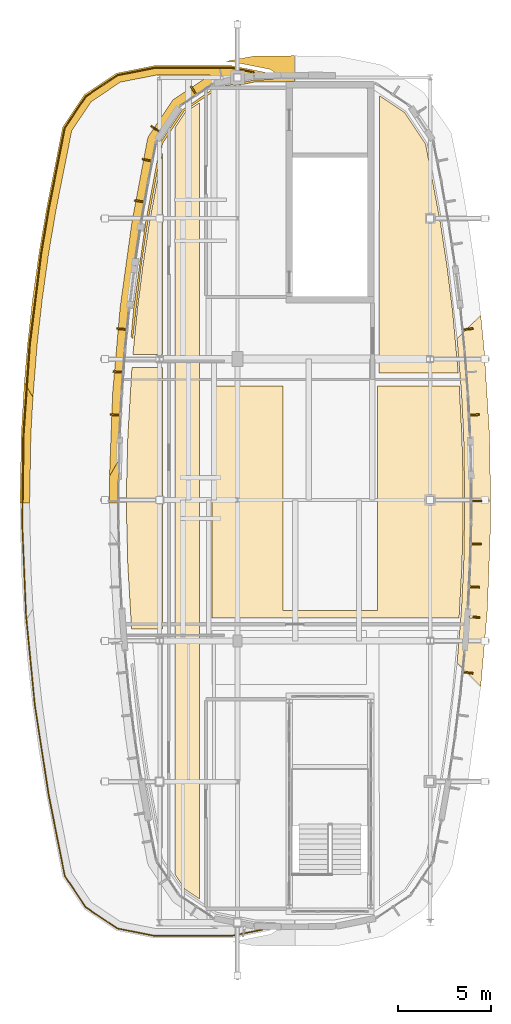
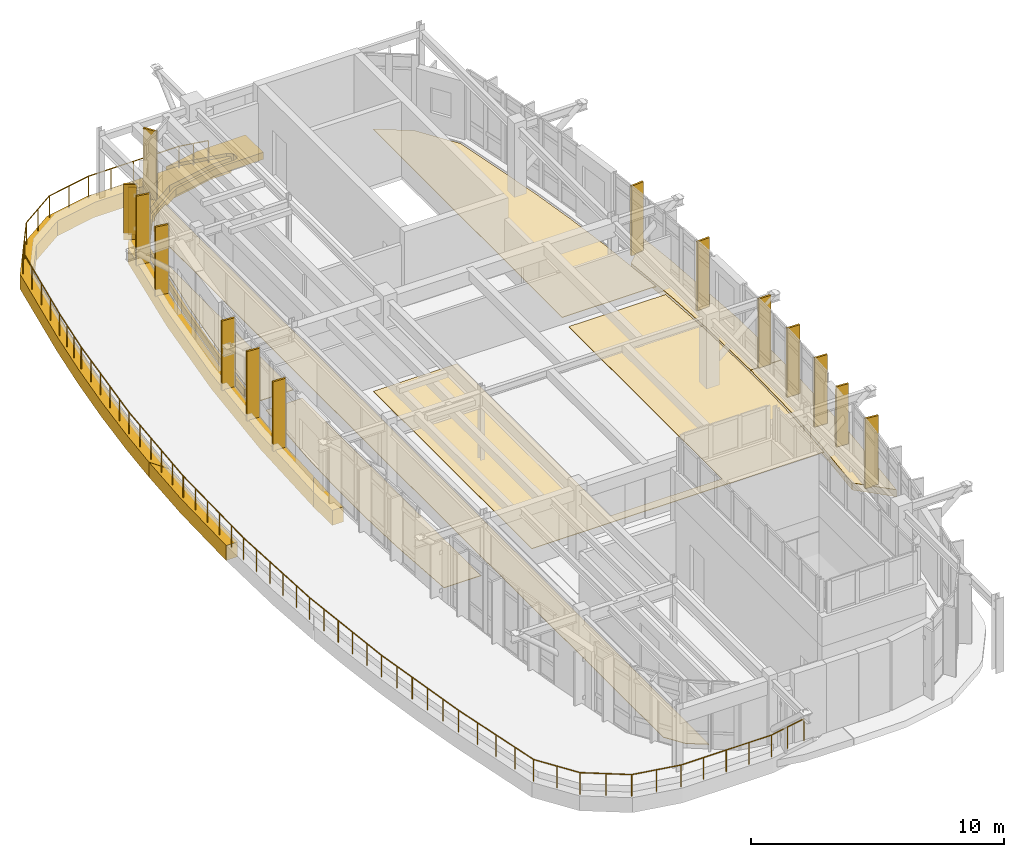
# One storey, part 19 of 20: 25 coverings, 2 shading devices, 1 railing.
"""IFC4 building model written with IfcOpenShell, lengths in metres."""

from ifc_helpers import new_model, si_unit, direction, frame, origin, origin_2d, place, context, subcontext, project, spatial, polyline, rectangle, circle, outline, extrude, material, layer, layer_set, type_object, element, save


model = new_model("IFC4")

# Units and contexts
model_context = context("Model", 3, precision=1e-05, world=origin(), true_north=direction((0.0, 1.0)))
body_context = subcontext(model_context, "Body", "Model", "MODEL_VIEW")
ifc_project = project(units=[si_unit("LENGTHUNIT", "METRE"), si_unit("AREAUNIT", "SQUARE_METRE"), si_unit("VOLUMEUNIT", "CUBIC_METRE"), si_unit("PLANEANGLEUNIT", "RADIAN"), si_unit("MASSUNIT", "GRAM", prefix="KILO")], contexts=[model_context])

# Site, building, storey
site_placement = place(None, origin())
site = spatial("IfcSite", under=ifc_project, at=site_placement, CompositionType="ELEMENT")
building_placement = place(site_placement, origin())
building = spatial("IfcBuilding", under=site, at=building_placement, Name="Corveleigh Park Community Centre", CompositionType="ELEMENT")
storey_placement = place(building_placement, frame((0.0, 0.0, 19.800048828125)))
storey = spatial("IfcBuildingStorey", under=building, at=storey_placement, Name="L05", CompositionType="ELEMENT", Elevation=19.800048828125)

# Coverings
ifc_material_1 = material(Name="Warm buff ribbed architectural cladding", Category="masonry")
ifc_layer_1 = layer(ifc_material_1, 0.0849609375, Name="Warm buff ribbed architectural cladding", Category="masonry")
ifc_layer_set_1 = layer_set([ifc_layer_1], Name="Warm buff ribbed architectural cladding")
covering_type_1 = type_object("IfcCoveringType", Name="COV-CLD-BUF", PredefinedType="CLADDING", material=ifc_layer_set_1)
covering_1_placement = place(storey_placement, origin())
element("IfcCovering", 1, at=covering_1_placement, inside=storey, type_object=covering_type_1, Name="V4 L05 Brise-soleil blade 538", PredefinedType="CLADDING", context=body_context, shape_type="SweptSolid", body=[
    extrude(outline(polyline([(170.136962890625, 72.14990234375), (170.1279296875, 72.06494140625), (170.7060546875, 72.007080078125), (170.714111328125, 72.092041015625), (170.136962890625, 72.14990234375)])), origin(), (0.0, 0.0, 1.0), 3.364013671875),
])
covering_2_placement = place(storey_placement, origin())
element("IfcCovering", 2, at=covering_2_placement, inside=storey, type_object=covering_type_1, Name="V4 L05 Brise-soleil blade 539", PredefinedType="CLADDING", context=body_context, shape_type="SweptSolid", body=[
    extrude(outline(polyline([(170.553955078125, 75.14111328125), (170.548095703125, 75.055908203125), (171.08203125, 75.01611328125), (171.087890625, 75.10107421875), (170.553955078125, 75.14111328125)])), origin(), (0.0, 0.0, 1.0), 2.94287109375),
])
covering_3_placement = place(storey_placement, origin())
element("IfcCovering", 3, at=covering_3_placement, inside=storey, type_object=covering_type_1, Name="V4 L05 Brise-soleil blade 540", PredefinedType="CLADDING", context=body_context, shape_type="SweptSolid", body=[
    extrude(outline(polyline([(170.48095703125, 76.764892578125), (170.47705078125, 76.679931640625), (171.055908203125, 76.65087890625), (171.06005859375, 76.736083984375), (170.48095703125, 76.764892578125)])), origin(), (0.0, 0.0, 1.0), 3.364013671875),
])
covering_4_placement = place(storey_placement, origin())
element("IfcCovering", 4, at=covering_4_placement, inside=storey, type_object=covering_type_1, Name="V4 L05 Brise-soleil blade 541", PredefinedType="CLADDING", context=body_context, shape_type="SweptSolid", body=[
    extrude(outline(polyline([(170.56689453125, 79.077880859375), (170.56494140625, 78.992919921875), (171.14501953125, 78.97802734375), (171.14697265625, 79.06298828125), (170.56689453125, 79.077880859375)])), origin(), (0.0, 0.0, 1.0), 3.364013671875),
])
covering_5_placement = place(storey_placement, origin())
element("IfcCovering", 5, at=covering_5_placement, inside=storey, type_object=covering_type_1, Name="V4 L05 Brise-soleil blade 542", PredefinedType="CLADDING", context=body_context, shape_type="SweptSolid", body=[
    extrude(outline(polyline([(170.594970703125, 81.39208984375), (170.594970703125, 81.306884765625), (171.175048828125, 81.306884765625), (171.175048828125, 81.39208984375), (170.594970703125, 81.39208984375)])), origin(), (0.0, 0.0, 1.0), 3.364013671875),
])
covering_6_placement = place(storey_placement, origin())
element("IfcCovering", 6, at=covering_6_placement, inside=storey, type_object=covering_type_1, Name="V4 L05 Brise-soleil blade 543", PredefinedType="CLADDING", context=body_context, shape_type="SweptSolid", body=[
    extrude(outline(polyline([(170.47705078125, 86.02001953125), (170.48095703125, 85.93505859375), (171.06005859375, 85.964111328125), (171.055908203125, 86.049072265625), (170.47705078125, 86.02001953125)])), origin(), (0.0, 0.0, 1.0), 3.364013671875),
])
covering_7_placement = place(storey_placement, origin())
element("IfcCovering", 7, at=covering_7_placement, inside=storey, type_object=covering_type_1, Name="V4 L05 Brise-soleil blade 545", PredefinedType="CLADDING", context=body_context, shape_type="SweptSolid", body=[
    extrude(outline(polyline([(170.1279296875, 90.635009765625), (170.136962890625, 90.550048828125), (170.714111328125, 90.60791015625), (170.7060546875, 90.693115234375), (170.1279296875, 90.635009765625)])), origin(), (0.0, 0.0, 1.0), 3.364013671875),
])
covering_8_placement = place(storey_placement, origin())
element("IfcCovering", 8, at=covering_8_placement, inside=storey, type_object=covering_type_1, Name="V4 L05 Brise-soleil blade 552", PredefinedType="CLADDING", context=body_context, shape_type="SweptSolid", body=[
    extrude(outline(polyline([(155.763916015625, 103.2099609375), (155.8349609375, 103.257080078125), (155.512939453125, 103.739990234375), (155.44189453125, 103.693115234375), (155.763916015625, 103.2099609375)])), origin(), (0.0, 0.0, 1.0), 3.364013671875),
])
covering_9_placement = place(storey_placement, origin())
element("IfcCovering", 9, at=covering_9_placement, inside=storey, type_object=covering_type_1, Name="V4 L05 Brise-soleil blade 553", PredefinedType="CLADDING", context=body_context, shape_type="SweptSolid", body=[
    extrude(outline(polyline([(153.7548828125, 101.2509765625), (153.802978515625, 101.322021484375), (153.35791015625, 101.618896484375), (153.31103515625, 101.548095703125), (153.7548828125, 101.2509765625)])), origin(), (0.0, 0.0, 1.0), 2.69189453125),
])
covering_10_placement = place(storey_placement, origin())
element("IfcCovering", 10, at=covering_10_placement, inside=storey, type_object=covering_type_1, Name="V4 L05 Brise-soleil blade 554", PredefinedType="CLADDING", context=body_context, shape_type="SweptSolid", body=[
    extrude(outline(polyline([(153.424072265625, 99.636962890625), (153.44091796875, 99.719970703125), (152.8720703125, 99.8330078125), (152.85498046875, 99.75), (153.424072265625, 99.636962890625)])), origin(), (0.0, 0.0, 1.0), 3.364013671875),
])
covering_11_placement = place(storey_placement, origin())
element("IfcCovering", 11, at=covering_11_placement, inside=storey, type_object=covering_type_1, Name="V4 L05 Brise-soleil blade 555", PredefinedType="CLADDING", context=body_context, shape_type="SweptSolid", body=[
    extrude(outline(polyline([(153.010986328125, 97.427001953125), (153.02587890625, 97.510986328125), (152.455078125, 97.612060546875), (152.43994140625, 97.528076171875), (153.010986328125, 97.427001953125)])), origin(), (0.0, 0.0, 1.0), 3.364013671875),
])
covering_12_placement = place(storey_placement, origin())
element("IfcCovering", 12, at=covering_12_placement, inside=storey, type_object=covering_type_1, Name="V4 L05 Brise-soleil blade 556", PredefinedType="CLADDING", context=body_context, shape_type="SweptSolid", body=[
    extrude(outline(polyline([(152.06298828125, 90.550048828125), (152.072021484375, 90.635009765625), (151.493896484375, 90.693115234375), (151.486083984375, 90.60791015625), (152.06298828125, 90.550048828125)])), origin(), (0.0, 0.0, 1.0), 3.364013671875),
])
covering_13_placement = place(storey_placement, origin())
element("IfcCovering", 13, at=covering_13_placement, inside=storey, type_object=covering_type_1, Name="V4 L05 Brise-soleil blade 557", PredefinedType="CLADDING", context=body_context, shape_type="SweptSolid", body=[
    extrude(outline(polyline([(151.862060546875, 88.243896484375), (151.868896484375, 88.3291015625), (151.2900390625, 88.3720703125), (151.283935546875, 88.287109375), (151.862060546875, 88.243896484375)])), origin(), (0.0, 0.0, 1.0), 3.364013671875),
])
covering_14_placement = place(storey_placement, origin())
element("IfcCovering", 14, at=covering_14_placement, inside=storey, type_object=covering_type_1, Name="V4 L05 Brise-soleil blade 558", PredefinedType="CLADDING", context=body_context, shape_type="SweptSolid", body=[
    extrude(outline(polyline([(151.718994140625, 85.93505859375), (151.722900390625, 86.02001953125), (151.14404296875, 86.049072265625), (151.139892578125, 85.964111328125), (151.718994140625, 85.93505859375)])), origin(), (0.0, 0.0, 1.0), 3.364013671875),
])
ifc_material_2 = material(Name="White architectural fascia cladding", Category="masonry")
ifc_layer_2 = layer(ifc_material_2, 0.074951171875, Name="White architectural fascia cladding", Category="masonry")
ifc_layer_set_2 = layer_set([ifc_layer_2], Name="White architectural fascia cladding")
covering_type_2 = type_object("IfcCoveringType", Name="COV-CLD-WHT", PredefinedType="CLADDING", material=ifc_layer_set_2)
covering_15_placement = place(storey_placement, frame((0.0, 0.0, -0.679931640625)))
element("IfcCovering", 15, at=covering_15_placement, inside=storey, type_object=covering_type_2, Name="Step 5 Crown Botanical Terrace Sweeping White Edge Band 1", PredefinedType="CLADDING", context=body_context, shape_type="SweptSolid", body=[
    extrude(outline(polyline([(151.610107421875, 82.507080078125), (151.6259765625, 81.237060546875), (151.10595703125, 81.237060546875), (151.095947265625, 82.68408203125), (151.653076171875, 83.64697265625), (151.610107421875, 82.507080078125)])), origin(), (0.0, 0.0, 1.0), 0.719970703125),
])
covering_16_placement = place(storey_placement, frame((0.0, 0.0, -0.679931640625)))
element("IfcCovering", 16, at=covering_16_placement, inside=storey, type_object=covering_type_2, Name="Step 5 Crown Botanical Terrace Sweeping White Edge Band 2", PredefinedType="CLADDING", context=body_context, shape_type="SweptSolid", body=[
    extrude(outline(polyline([(146.674072265625, 89.83203125), (146.945068359375, 92.260009765625), (147.283935546875, 94.677978515625), (147.68896484375, 97.0859375), (148.56689453125, 101.51904296875), (149.73291015625, 103.26708984375), (151.47412109375, 104.430908203125), (153.52001953125, 104.839111328125), (157.672119140625, 104.840087890625), (159.718994140625, 104.43310546875), (159.8359375, 104.35693359375), (159.80908203125, 104.2890625), (158.889892578125, 104.27490234375), (156.719970703125, 103.842041015625), (154.884033203125, 102.615966796875), (153.656982421875, 100.780029296875), (152.821044921875, 96.327880859375), (152.18798828125, 91.742919921875), (151.783935546875, 87.133056640625), (151.653076171875, 83.653076171875), (151.095947265625, 82.68701171875), (151.26611328125, 87.177001953125), (151.669921875, 91.7890625), (152.306884765625, 96.39990234375), (153.14697265625, 100.884033203125), (153.219970703125, 101.06201171875), (154.51611328125, 102.98388671875), (156.513916015625, 104.320068359375), (153.574951171875, 104.320068359375), (151.676025390625, 103.94189453125), (150.10693359375, 102.89306640625), (149.05810546875, 101.323974609375), (148.199951171875, 96.991943359375), (147.797119140625, 94.597900390625), (147.4609375, 92.194091796875), (147.19189453125, 89.781982421875), (146.966064453125, 86.947998046875), (146.5, 87.756103515625), (146.674072265625, 89.83203125)])), origin(), (0.0, 0.0, 1.0), 0.719970703125),
])
covering_17_placement = place(storey_placement, frame((0.0, 0.0, -0.679931640625)))
element("IfcCovering", 17, at=covering_17_placement, inside=storey, type_object=covering_type_2, Name="Step 5 Crown Botanical Terrace Sweeping White Edge Band 3", PredefinedType="CLADDING", context=body_context, shape_type="SweptSolid", body=[
    extrude(outline(polyline([(146.26708984375, 81.238037109375), (146.3349609375, 84.9619140625), (146.4990234375, 87.742919921875), (146.965087890625, 86.93603515625), (146.85498046875, 84.93994140625), (146.787109375, 81.238037109375), (146.26708984375, 81.238037109375)])), origin(), (0.0, 0.0, 1.0), 0.719970703125),
])
covering_18_placement = place(storey_placement, frame((0.0, 0.0, -0.300048828125)))
element("IfcCovering", 18, at=covering_18_placement, inside=storey, type_object=covering_type_2, Name="V4 L05 Horizontal Sun-Hood 1", PredefinedType="CLADDING", context=body_context, shape_type="SweptSolid", body=[
    extrude(outline(polyline([(171.31298828125, 89.548095703125), (171.60595703125, 84.875), (171.6650390625, 81.35498046875), (170.264892578125, 81.35498046875), (170.20703125, 84.80908203125), (170.092041015625, 87.112060546875), (169.85107421875, 90.092041015625), (171.1298828125, 91.3701171875), (171.31298828125, 89.548095703125)])), origin(), (0.0, 0.0, 1.0), 0.340087890625),
])
covering_19_placement = place(storey_placement, frame((0.0, 0.0, -0.300048828125)))
element("IfcCovering", 19, at=covering_19_placement, inside=storey, type_object=covering_type_2, Name="V4 L05 Horizontal Sun-Hood 3", PredefinedType="CLADDING", context=body_context, shape_type="SweptSolid", body=[
    extrude(outline(polyline([(152.39697265625, 91.718994140625), (153.029052734375, 96.2939453125), (153.85498046875, 100.698974609375), (155.034912109375, 102.465087890625), (156.802001953125, 103.64501953125), (158.9130859375, 104.06494140625), (159.860107421875, 104.0849609375), (159.968994140625, 104.136962890625), (160.048095703125, 104.258056640625), (160.01611328125, 104.468017578125), (159.783935546875, 104.633056640625), (157.720947265625, 105.044921875), (157.27587890625, 105.050048828125), (158.8720703125, 105.35009765625), (161.087890625, 105.373046875), (161.089111328125, 103.972900390625), (158.925048828125, 103.950927734375), (156.847900390625, 103.537109375), (155.117919921875, 102.382080078125), (153.962890625, 100.652099609375), (153.14208984375, 96.27490234375), (152.799072265625, 93.9951171875), (152.35009765625, 90.10791015625), (152.262939453125, 90.196044921875), (152.39697265625, 91.718994140625)])), origin(), (0.0, 0.0, 1.0), 0.340087890625),
])
covering_20_placement = place(storey_placement, frame((0.0, 0.0, -0.300048828125)))
element("IfcCovering", 20, at=covering_20_placement, inside=storey, type_object=covering_type_2, Name="V4 L05 Horizontal Sun-Hood 6", PredefinedType="CLADDING", context=body_context, shape_type="SweptSolid", body=[
    extrude(outline(polyline([(171.6650390625, 80.19189453125), (171.489990234375, 75.512939453125), (171.1298828125, 71.330078125), (169.85107421875, 72.60791015625), (170.092041015625, 75.587890625), (170.20703125, 77.89111328125), (170.264892578125, 81.344970703125), (171.6650390625, 81.344970703125), (171.6650390625, 80.19189453125)])), origin(), (0.0, 0.0, 1.0), 0.340087890625),
])
ifc_material_3 = material(Name="Acoustic linoleum flooring", Category="wood")
ifc_layer_3 = layer(ifc_material_3, 0.02490234375, Name="Acoustic linoleum flooring", Category="wood")
ifc_layer_set_3 = layer_set([ifc_layer_3], Name="Acoustic linoleum flooring")
covering_type_3 = type_object("IfcCoveringType", Name="COV-FLR-LIN", PredefinedType="FLOORING", material=ifc_layer_set_3)
covering_21_placement = place(storey_placement, origin())
element("IfcCovering", 21, at=covering_21_placement, inside=storey, type_object=covering_type_3, Name="Fifth Floor Crown Concourse flooring", PredefinedType="FLOORING", context=body_context, shape_type="SweptSolid", body=[
    extrude(outline(polyline([(154.639892578125, 61.196044921875), (154.639892578125, 101.50390625), (155.18310546875, 102.31689453125), (155.9599609375, 102.8359375), (155.9599609375, 59.864013671875), (155.18310546875, 60.383056640625), (154.639892578125, 61.196044921875)])), origin(), (0.0, 0.0, 1.0), 0.02490234375),
])
covering_22_placement = place(storey_placement, origin())
element("IfcCovering", 22, at=covering_22_placement, inside=storey, type_object=covering_type_3, Name="Trust Administration Suite flooring", PredefinedType="FLOORING", context=body_context, shape_type="SweptSolid", body=[
    extrude(outline(polyline([(152.0830078125, 77.89501953125), (152.02490234375, 80.197998046875), (152.02490234375, 82.501953125), (152.0830078125, 84.804931640625), (152.306884765625, 88.56005859375), (153.9599609375, 88.56005859375), (153.9599609375, 74.43994140625), (152.284912109375, 74.43994140625), (152.0830078125, 77.89501953125)])), origin(), (0.0, 0.0, 1.0), 0.02490234375),
])
covering_23_placement = place(storey_placement, origin())
element("IfcCovering", 23, at=covering_23_placement, inside=storey, type_object=covering_type_3, Name="Accessible and Public Toilets L05 flooring", PredefinedType="FLOORING", context=body_context, shape_type="SweptSolid", body=[
    extrude(outline(polyline([(153.23095703125, 96.260986328125), (153.9599609375, 100.177978515625), (153.9599609375, 89.239990234375), (152.35791015625, 89.239990234375), (152.60009765625, 91.697021484375), (152.887939453125, 93.98291015625), (153.23095703125, 96.260986328125)])), origin(), (0.0, 0.0, 1.0), 0.02490234375),
])
covering_24_placement = place(storey_placement, origin())
element("IfcCovering", 24, at=covering_24_placement, inside=storey, type_object=covering_type_3, Name="Community Art Gallery flooring", PredefinedType="FLOORING", context=body_context, shape_type="SweptSolid", body=[
    extrude(outline(polyline([(165.550048828125, 75.449951171875), (165.550048828125, 87.56005859375), (169.968017578125, 87.56005859375), (170.116943359375, 84.804931640625), (170.175048828125, 82.501953125), (170.175048828125, 80.197998046875), (170.116943359375, 77.89501953125), (169.9599609375, 75.0400390625), (156.639892578125, 75.0400390625), (156.639892578125, 87.56005859375), (160.449951171875, 87.56005859375), (160.449951171875, 75.449951171875), (165.550048828125, 75.449951171875)])), origin(), (0.0, 0.0, 1.0), 0.02490234375),
])
covering_25_placement = place(storey_placement, origin())
element("IfcCovering", 25, at=covering_25_placement, inside=storey, type_object=covering_type_3, Name="Botanical Ecology Seminar Room flooring", PredefinedType="FLOORING", context=body_context, shape_type="SweptSolid", body=[
    extrude(outline(polyline([(169.60009765625, 91.697021484375), (169.9169921875, 88.239990234375), (165.639892578125, 88.239990234375), (165.659912109375, 103.22412109375), (167.01708984375, 102.31689453125), (168.153076171875, 100.616943359375), (168.968994140625, 96.260986328125), (169.31201171875, 93.98291015625), (169.60009765625, 91.697021484375)])), origin(), (0.0, 0.0, 1.0), 0.02490234375),
])

# Railing
ifc_material_4 = material(Name="Stainless steel 316 balustrade", Category="steel")
railing_type = type_object("IfcRailingType", Name="RLG-BAL-EXT-1100", PredefinedType="BALUSTRADE", material=ifc_material_4)
railing_placement = place(storey_placement, frame((159.3359375, 58.212890625, 0.0)))
element("IfcRailing", 26, at=railing_placement, inside=storey, type_object=railing_type, Name="Step 5 Crown Botanical Terrace guard 17", PredefinedType="BALUSTRADE", context=body_context, shape_type="SweptSolid", body=[
    extrude(circle(Radius=0.02392578125, at=origin_2d()), frame((0.0, 0.0, 1.076171875), z_axis=(-0.98073460373, -0.195344918149, 0.0), x_axis=(0.195344918149, -0.98073460373, 0.0)), (0.0, 0.0, 1.0), 1.704833984375),
    extrude(circle(Radius=0.02392578125, at=origin_2d()), frame((-1.671875, -0.3330078125, 1.076171875), z_axis=(-1.0, 0.0, 0.0), x_axis=(0.0, -1.0, 0.0)), (0.0, 0.0, 1.0), 4.128173828125),
    extrude(circle(Radius=0.02392578125, at=origin_2d()), frame((-5.800048828125, -0.3330078125, 1.076171875), z_axis=(-0.980772082854, 0.195156658851, 0.0), x_axis=(-0.195156658851, -0.980772082854, 0.0)), (0.0, 0.0, 1.0), 2.055419921875),
    extrude(circle(Radius=0.02392578125, at=origin_2d()), frame((-7.81591796875, 0.068115234375, 1.076171875), z_axis=(-0.831149876642, 0.556048453427, 0.0), x_axis=(-0.556048453427, -0.831149876642, 0.0)), (0.0, 0.0, 1.0), 2.04638671875),
    extrude(circle(Radius=0.02392578125, at=origin_2d()), frame((-9.516845703125, 1.2060546875, 1.076171875), z_axis=(-0.556075726187, 0.831131630216, 0.0), x_axis=(-0.831131630216, -0.556075726187, 0.0)), (0.0, 0.0, 1.0), 2.046875),
    extrude(circle(Radius=0.02392578125, at=origin_2d()), frame((-10.655029296875, 2.9072265625, 1.076171875), z_axis=(-0.194165332646, 0.980968818872, 0.0), x_axis=(-0.980968818872, -0.194165332646, 0.0)), (0.0, 0.0, 1.0), 4.50146484375),
    extrude(circle(Radius=0.02392578125, at=origin_2d()), frame((-11.529052734375, 7.322998046875, 1.076171875), z_axis=(-0.152331783539, 0.988329412556, 0.0), x_axis=(-0.988329412556, -0.152331783539, 0.0)), (0.0, 0.0, 1.0), 4.876953125),
    extrude(circle(Radius=0.02392578125, at=origin_2d()), frame((-12.27197265625, 12.14306640625, 1.076171875), z_axis=(-0.09718343152, 0.995266487248, 0.0), x_axis=(-0.995266487248, -0.09718343152, 0.0)), (0.0, 0.0, 1.0), 4.876220703125),
    extrude(circle(Radius=0.02392578125, at=origin_2d()), frame((-12.745849609375, 16.99609375, 1.076171875), z_axis=(-0.041655534688, 0.99913203153, 0.0), x_axis=(-0.99913203153, -0.041655534688, 0.0)), (0.0, 0.0, 1.0), 4.876220703125),
    extrude(circle(Radius=0.02392578125, at=origin_2d()), frame((-12.948974609375, 21.8681640625, 1.076171875), z_axis=(0.01396819451, 0.999902440012, 0.0), x_axis=(-0.999902440012, 0.01396819451, 0.0)), (0.0, 0.0, 1.0), 4.87646484375),
    extrude(circle(Radius=0.02392578125, at=origin_2d()), frame((-12.880859375, 26.744140625, 1.076171875), z_axis=(0.069499762669, 0.997581968055, 0.0), x_axis=(-0.997581968055, 0.069499762669, 0.0)), (0.0, 0.0, 1.0), 4.875732421875),
    extrude(circle(Radius=0.02392578125, at=origin_2d()), frame((-12.5419921875, 31.608154296875, 1.076171875), z_axis=(0.124724903227, 0.992191361843, 0.0), x_axis=(-0.992191361843, 0.124724903227, 0.0)), (0.0, 0.0, 1.0), 4.8759765625),
    extrude(circle(Radius=0.02392578125, at=origin_2d()), frame((-11.933837890625, 36.446044921875, 1.076171875), z_axis=(0.165973395846, 0.986130230685, 0.0), x_axis=(-0.986130230685, 0.165973395846, 0.0)), (0.0, 0.0, 1.0), 2.43896484375),
    extrude(circle(Radius=0.02392578125, at=origin_2d()), frame((-11.529052734375, 38.85107421875, 1.076171875), z_axis=(0.194155002822, 0.98097086342, 0.0), x_axis=(-0.98097086342, 0.194155002822, 0.0)), (0.0, 0.0, 1.0), 4.501708984375),
    extrude(circle(Radius=0.02392578125, at=origin_2d()), frame((-10.655029296875, 43.26708984375, 1.076171875), z_axis=(0.556130857563, 0.83109474145, 0.0), x_axis=(-0.83109474145, 0.556130857563, 0.0)), (0.0, 0.0, 1.0), 2.046630859375),
    extrude(circle(Radius=0.02392578125, at=origin_2d()), frame((-9.516845703125, 44.968017578125, 1.076171875), z_axis=(0.83109474145, 0.556130857563, 0.0), x_axis=(-0.556130857563, 0.83109474145, 0.0)), (0.0, 0.0, 1.0), 2.046630859375),
    extrude(circle(Radius=0.02392578125, at=origin_2d()), frame((-7.81591796875, 46.106201171875, 1.076171875), z_axis=(0.980794811847, 0.195042398093, 0.0), x_axis=(-0.195042398093, 0.980794811847, 0.0)), (0.0, 0.0, 1.0), 2.055419921875),
    extrude(circle(Radius=0.02392578125, at=origin_2d()), frame((-5.800048828125, 46.507080078125, 1.076171875), z_axis=(1.0, 0.0, 0.0), x_axis=(0.0, 1.0, 0.0)), (0.0, 0.0, 1.0), 4.128173828125),
    extrude(circle(Radius=0.02392578125, at=origin_2d()), frame((-1.671875, 46.507080078125, 1.076171875), z_axis=(0.980709951733, -0.195468643449, 0.0), x_axis=(0.195468643449, 0.980709951733, 0.0)), (0.0, 0.0, 1.0), 1.232666015625),
    extrude(circle(Radius=0.02099609375, at=origin_2d()), origin(), (0.0, 0.0, 1.0), 1.052001953125),
    extrude(circle(Radius=0.02099609375, at=origin_2d()), frame((-0.8359375, -0.16650390625, 0.0)), (0.0, 0.0, 1.0), 1.052001953125),
    extrude(circle(Radius=0.02099609375, at=origin_2d()), frame((-1.671875, -0.3330078125, 0.0)), (0.0, 0.0, 1.0), 1.052001953125),
    extrude(circle(Radius=0.02099609375, at=origin_2d()), frame((-2.703857421875, -0.3330078125, 0.0)), (0.0, 0.0, 1.0), 1.052001953125),
    extrude(circle(Radius=0.02099609375, at=origin_2d()), frame((-3.73583984375, -0.3330078125, 0.0)), (0.0, 0.0, 1.0), 1.052001953125),
    extrude(circle(Radius=0.02099609375, at=origin_2d()), frame((-4.76806640625, -0.3330078125, 0.0)), (0.0, 0.0, 1.0), 1.052001953125),
    extrude(circle(Radius=0.02099609375, at=origin_2d()), frame((-5.800048828125, -0.3330078125, 0.0)), (0.0, 0.0, 1.0), 1.052001953125),
    extrude(circle(Radius=0.02099609375, at=origin_2d()), frame((-6.80810546875, -0.13232421875, 0.0)), (0.0, 0.0, 1.0), 1.052001953125),
    extrude(circle(Radius=0.02099609375, at=origin_2d()), frame((-7.81591796875, 0.068115234375, 0.0)), (0.0, 0.0, 1.0), 1.052001953125),
    extrude(circle(Radius=0.02099609375, at=origin_2d()), frame((-8.66650390625, 0.63720703125, 0.0)), (0.0, 0.0, 1.0), 1.052001953125),
    extrude(circle(Radius=0.02099609375, at=origin_2d()), frame((-9.516845703125, 1.2060546875, 0.0)), (0.0, 0.0, 1.0), 1.052001953125),
    extrude(circle(Radius=0.02099609375, at=origin_2d()), frame((-10.0859375, 2.056640625, 0.0)), (0.0, 0.0, 1.0), 1.052001953125),
    extrude(circle(Radius=0.02099609375, at=origin_2d()), frame((-10.655029296875, 2.9072265625, 0.0)), (0.0, 0.0, 1.0), 1.052001953125),
    extrude(circle(Radius=0.02099609375, at=origin_2d()), frame((-10.87353515625, 4.01123046875, 0.0)), (0.0, 0.0, 1.0), 1.052001953125),
    extrude(circle(Radius=0.02099609375, at=origin_2d()), frame((-11.092041015625, 5.115234375, 0.0)), (0.0, 0.0, 1.0), 1.052001953125),
    extrude(circle(Radius=0.02099609375, at=origin_2d()), frame((-11.310546875, 6.218994140625, 0.0)), (0.0, 0.0, 1.0), 1.052001953125),
    extrude(circle(Radius=0.02099609375, at=origin_2d()), frame((-11.529052734375, 7.322998046875, 0.0)), (0.0, 0.0, 1.0), 1.052001953125),
    extrude(circle(Radius=0.02099609375, at=origin_2d()), frame((-11.677734375, 8.287109375, 0.0)), (0.0, 0.0, 1.0), 1.052001953125),
    extrude(circle(Radius=0.02099609375, at=origin_2d()), frame((-11.826171875, 9.2509765625, 0.0)), (0.0, 0.0, 1.0), 1.052001953125),
    extrude(circle(Radius=0.02099609375, at=origin_2d()), frame((-11.974853515625, 10.215087890625, 0.0)), (0.0, 0.0, 1.0), 1.052001953125),
    extrude(circle(Radius=0.02099609375, at=origin_2d()), frame((-12.123291015625, 11.178955078125, 0.0)), (0.0, 0.0, 1.0), 1.052001953125),
    extrude(circle(Radius=0.02099609375, at=origin_2d()), frame((-12.27197265625, 12.14306640625, 0.0)), (0.0, 0.0, 1.0), 1.052001953125),
    extrude(circle(Radius=0.02099609375, at=origin_2d()), frame((-12.36669921875, 13.11376953125, 0.0)), (0.0, 0.0, 1.0), 1.052001953125),
    extrude(circle(Radius=0.02099609375, at=origin_2d()), frame((-12.46142578125, 14.084228515625, 0.0)), (0.0, 0.0, 1.0), 1.052001953125),
    extrude(circle(Radius=0.02099609375, at=origin_2d()), frame((-12.556396484375, 15.054931640625, 0.0)), (0.0, 0.0, 1.0), 1.052001953125),
    extrude(circle(Radius=0.02099609375, at=origin_2d()), frame((-12.651123046875, 16.025390625, 0.0)), (0.0, 0.0, 1.0), 1.052001953125),
    extrude(circle(Radius=0.02099609375, at=origin_2d()), frame((-12.745849609375, 16.99609375, 0.0)), (0.0, 0.0, 1.0), 1.052001953125),
    extrude(circle(Radius=0.02099609375, at=origin_2d()), frame((-12.786376953125, 17.970458984375, 0.0)), (0.0, 0.0, 1.0), 1.052001953125),
    extrude(circle(Radius=0.02099609375, at=origin_2d()), frame((-12.8271484375, 18.94482421875, 0.0)), (0.0, 0.0, 1.0), 1.052001953125),
    extrude(circle(Radius=0.02099609375, at=origin_2d()), frame((-12.86767578125, 19.91943359375, 0.0)), (0.0, 0.0, 1.0), 1.052001953125),
    extrude(circle(Radius=0.02099609375, at=origin_2d()), frame((-12.908447265625, 20.893798828125, 0.0)), (0.0, 0.0, 1.0), 1.052001953125),
    extrude(circle(Radius=0.02099609375, at=origin_2d()), frame((-12.948974609375, 21.8681640625, 0.0)), (0.0, 0.0, 1.0), 1.052001953125),
    extrude(circle(Radius=0.02099609375, at=origin_2d()), frame((-12.935302734375, 22.84326171875, 0.0)), (0.0, 0.0, 1.0), 1.052001953125),
    extrude(circle(Radius=0.02099609375, at=origin_2d()), frame((-12.921630859375, 23.818603515625, 0.0)), (0.0, 0.0, 1.0), 1.052001953125),
    extrude(circle(Radius=0.02099609375, at=origin_2d()), frame((-12.908203125, 24.793701171875, 0.0)), (0.0, 0.0, 1.0), 1.052001953125),
    extrude(circle(Radius=0.02099609375, at=origin_2d()), frame((-12.89453125, 25.76904296875, 0.0)), (0.0, 0.0, 1.0), 1.052001953125),
    extrude(circle(Radius=0.02099609375, at=origin_2d()), frame((-12.880859375, 26.744140625, 0.0)), (0.0, 0.0, 1.0), 1.052001953125),
    extrude(circle(Radius=0.02099609375, at=origin_2d()), frame((-12.81298828125, 27.717041015625, 0.0)), (0.0, 0.0, 1.0), 1.052001953125),
    extrude(circle(Radius=0.02099609375, at=origin_2d()), frame((-12.745361328125, 28.689697265625, 0.0)), (0.0, 0.0, 1.0), 1.052001953125),
    extrude(circle(Radius=0.02099609375, at=origin_2d()), frame((-12.677490234375, 29.66259765625, 0.0)), (0.0, 0.0, 1.0), 1.052001953125),
    extrude(circle(Radius=0.02099609375, at=origin_2d()), frame((-12.60986328125, 30.63525390625, 0.0)), (0.0, 0.0, 1.0), 1.052001953125),
    extrude(circle(Radius=0.02099609375, at=origin_2d()), frame((-12.5419921875, 31.608154296875, 0.0)), (0.0, 0.0, 1.0), 1.052001953125),
    extrude(circle(Radius=0.02099609375, at=origin_2d()), frame((-12.42041015625, 32.57568359375, 0.0)), (0.0, 0.0, 1.0), 1.052001953125),
    extrude(circle(Radius=0.02099609375, at=origin_2d()), frame((-12.298828125, 33.543212890625, 0.0)), (0.0, 0.0, 1.0), 1.052001953125),
    extrude(circle(Radius=0.02099609375, at=origin_2d()), frame((-12.177001953125, 34.510986328125, 0.0)), (0.0, 0.0, 1.0), 1.052001953125),
    extrude(circle(Radius=0.02099609375, at=origin_2d()), frame((-12.055419921875, 35.478515625, 0.0)), (0.0, 0.0, 1.0), 1.052001953125),
    extrude(circle(Radius=0.02099609375, at=origin_2d()), frame((-11.933837890625, 36.446044921875, 0.0)), (0.0, 0.0, 1.0), 1.052001953125),
    extrude(circle(Radius=0.02099609375, at=origin_2d()), frame((-11.798828125, 37.247802734375, 0.0)), (0.0, 0.0, 1.0), 1.052001953125),
    extrude(circle(Radius=0.02099609375, at=origin_2d()), frame((-11.6640625, 38.04931640625, 0.0)), (0.0, 0.0, 1.0), 1.052001953125),
    extrude(circle(Radius=0.02099609375, at=origin_2d()), frame((-11.529052734375, 38.85107421875, 0.0)), (0.0, 0.0, 1.0), 1.052001953125),
    extrude(circle(Radius=0.02099609375, at=origin_2d()), frame((-11.310546875, 39.955078125, 0.0)), (0.0, 0.0, 1.0), 1.052001953125),
    extrude(circle(Radius=0.02099609375, at=origin_2d()), frame((-11.092041015625, 41.05908203125, 0.0)), (0.0, 0.0, 1.0), 1.052001953125),
    extrude(circle(Radius=0.02099609375, at=origin_2d()), frame((-10.87353515625, 42.1630859375, 0.0)), (0.0, 0.0, 1.0), 1.052001953125),
    extrude(circle(Radius=0.02099609375, at=origin_2d()), frame((-10.655029296875, 43.26708984375, 0.0)), (0.0, 0.0, 1.0), 1.052001953125),
    extrude(circle(Radius=0.02099609375, at=origin_2d()), frame((-10.0859375, 44.11767578125, 0.0)), (0.0, 0.0, 1.0), 1.052001953125),
    extrude(circle(Radius=0.02099609375, at=origin_2d()), frame((-9.516845703125, 44.968017578125, 0.0)), (0.0, 0.0, 1.0), 1.052001953125),
    extrude(circle(Radius=0.02099609375, at=origin_2d()), frame((-8.66650390625, 45.537109375, 0.0)), (0.0, 0.0, 1.0), 1.052001953125),
    extrude(circle(Radius=0.02099609375, at=origin_2d()), frame((-7.81591796875, 46.106201171875, 0.0)), (0.0, 0.0, 1.0), 1.052001953125),
    extrude(circle(Radius=0.02099609375, at=origin_2d()), frame((-6.80810546875, 46.306640625, 0.0)), (0.0, 0.0, 1.0), 1.052001953125),
    extrude(circle(Radius=0.02099609375, at=origin_2d()), frame((-5.800048828125, 46.507080078125, 0.0)), (0.0, 0.0, 1.0), 1.052001953125),
    extrude(circle(Radius=0.02099609375, at=origin_2d()), frame((-4.76806640625, 46.507080078125, 0.0)), (0.0, 0.0, 1.0), 1.052001953125),
    extrude(circle(Radius=0.02099609375, at=origin_2d()), frame((-3.73583984375, 46.507080078125, 0.0)), (0.0, 0.0, 1.0), 1.052001953125),
    extrude(circle(Radius=0.02099609375, at=origin_2d()), frame((-2.703857421875, 46.507080078125, 0.0)), (0.0, 0.0, 1.0), 1.052001953125),
    extrude(circle(Radius=0.02099609375, at=origin_2d()), frame((-1.671875, 46.507080078125, 0.0)), (0.0, 0.0, 1.0), 1.052001953125),
    extrude(circle(Radius=0.02099609375, at=origin_2d()), frame((-1.0673828125, 46.38671875, 0.0)), (0.0, 0.0, 1.0), 1.052001953125),
    extrude(circle(Radius=0.02099609375, at=origin_2d()), frame((-0.462890625, 46.26611328125, 0.0)), (0.0, 0.0, 1.0), 1.052001953125),
])

# Shading devices
ifc_material_5 = material(Name="Terracotta-anodised aluminium fin", Category="masonry")
shading_device_type_1 = type_object("IfcShadingDeviceType", Name="SHD-FIN-TER-350", PredefinedType="USERDEFINED", material=ifc_material_5)
shading_device_1_placement = place(storey_placement, frame((153.62109375, 101.39208984375, 0.25), z_axis=(0.0, 0.0, 1.0), x_axis=(-0.831544296886, 0.555458443376, 0.0)))
element("IfcShadingDevice", 27, at=shading_device_1_placement, inside=storey, type_object=shading_device_type_1, Name="Terracotta brise-soleil fin 127", ObjectType="FIN", PredefinedType="USERDEFINED", context=body_context, shape_type="SweptSolid", body=[
    extrude(rectangle(XDim=0.35009765625, YDim=0.06005859375, at=origin_2d()), origin(), (0.0, 0.0, 1.0), 2.2919921875),
])
shading_device_type_2 = type_object("IfcShadingDeviceType", Name="SHD-FIN-TER-450", PredefinedType="USERDEFINED", material=ifc_material_5)
shading_device_2_placement = place(storey_placement, frame((170.740966796875, 75.083984375, 0.25), z_axis=(0.0, 0.0, 1.0), x_axis=(0.997228438227, -0.074400551014, 0.0)))
element("IfcShadingDevice", 28, at=shading_device_2_placement, inside=storey, type_object=shading_device_type_2, Name="Terracotta brise-soleil fin 124", ObjectType="FIN", PredefinedType="USERDEFINED", context=body_context, shape_type="SweptSolid", body=[
    extrude(rectangle(XDim=0.449951171875, YDim=0.06494140625, at=origin_2d()), origin(), (0.0, 0.0, 1.0), 2.54296875),
])

save(model, "model.ifc")
